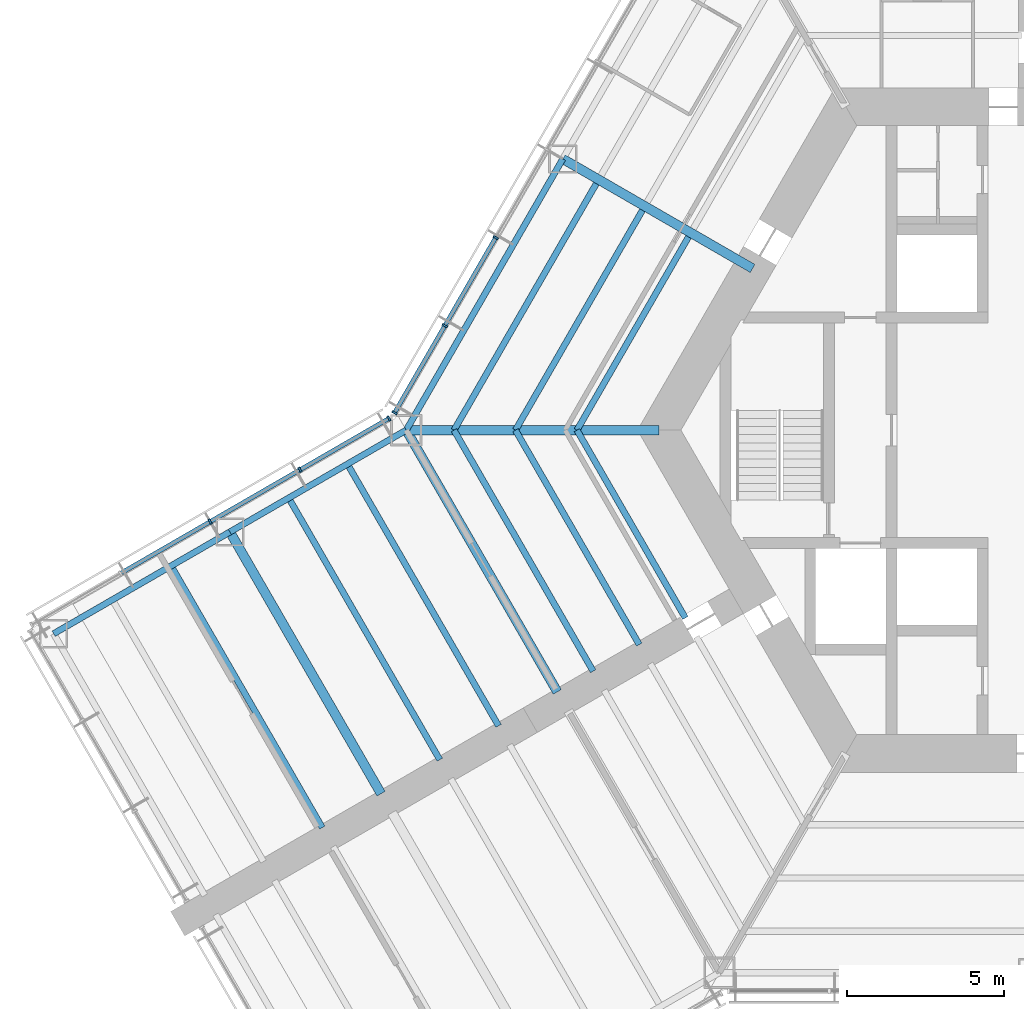
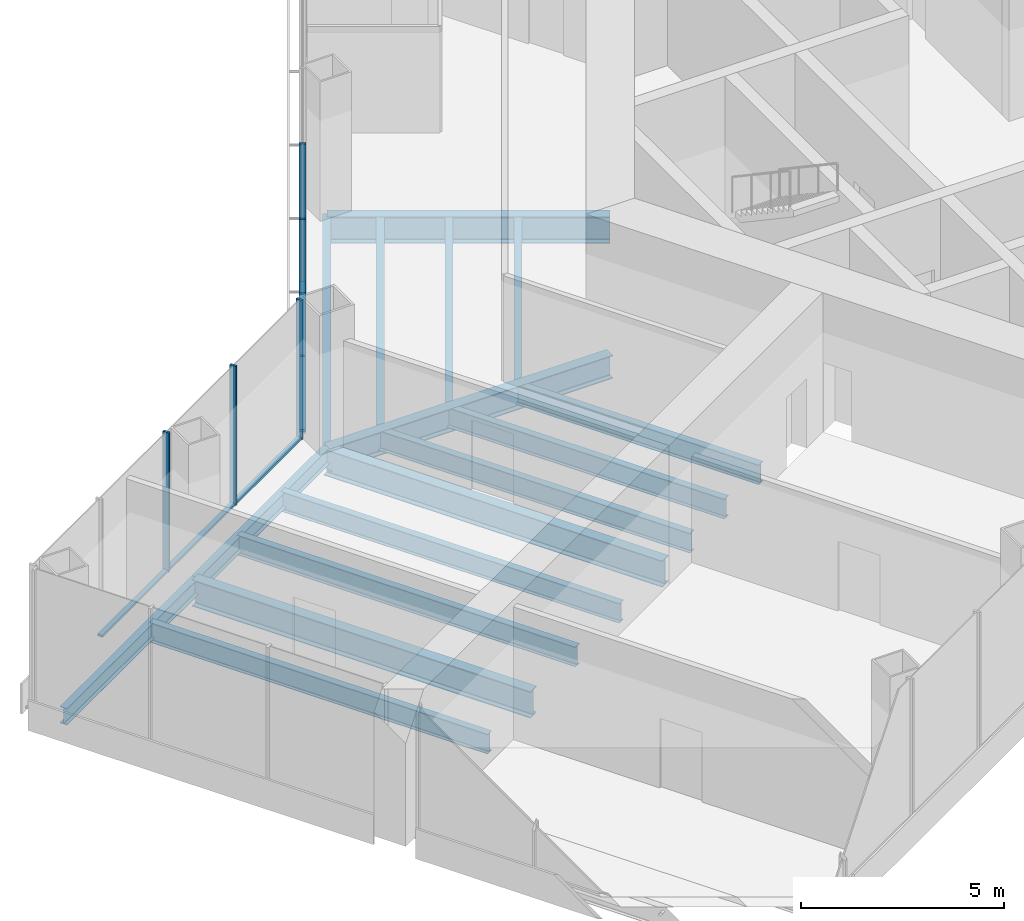
# One storey, part 3 of 16: 16 beams, 11 members, 2 elements without a shape of their own.
"""IFC4 building model written with IfcOpenShell, lengths in metres."""

from ifc_helpers import new_model, si_unit, direction, frame, origin, origin_2d, place, context, subcontext, project, spatial, rectangle, i_section, extrude, material, material_profile, profile_set, type_object, element, aggregate, save


model = new_model("IFC4")

# Units and contexts
model_context = context("Model", 3, precision=1e-05, world=origin(), true_north=direction((0.0, 1.0)))
body_context = subcontext(model_context, "Body", "Model", "MODEL_VIEW")
ifc_project = project(units=[si_unit("LENGTHUNIT", "METRE"), si_unit("AREAUNIT", "SQUARE_METRE"), si_unit("VOLUMEUNIT", "CUBIC_METRE"), si_unit("PLANEANGLEUNIT", "RADIAN"), si_unit("MASSUNIT", "GRAM", prefix="KILO")], contexts=[model_context])

# Site, building, storey
site_placement = place(None, origin())
site = spatial("IfcSite", under=ifc_project, at=site_placement, CompositionType="ELEMENT")
building_placement = place(site_placement, origin())
building = spatial("IfcBuilding", under=site, at=building_placement, Name="Kasaneha Research Tower", CompositionType="ELEMENT")
storey_placement = place(building_placement, frame((0.0, 0.0, 18.39990234375)))
storey = spatial("IfcBuildingStorey", under=building, at=storey_placement, Name="L05", CompositionType="ELEMENT", Elevation=18.39990234375)

# Beams
ifc_material_1 = material(Name="Steel SN490B", Category="steel")
ifc_material_profile_1 = material_profile(ifc_material_1, i_section(OverallWidth=0.199951171875, OverallDepth=0.60009765625, WebThickness=0.010986328125, FlangeThickness=0.01708984375, FilletRadius=0.012939453125, at=origin_2d()), Name="H-600x200x11x17")
ifc_profile_set_1 = profile_set([ifc_material_profile_1], Name="Steel SN490B")
beam_type_1 = type_object("IfcBeamType", Name="B1-1 secondary beam H-600x200x11x17", PredefinedType="JOIST", material=ifc_profile_set_1)
beam_1_placement = place(storey_placement, frame((-14.54931640625, 0.0, -0.5), z_axis=(0.500016104636, 0.866016105569, 0.0), x_axis=(-0.866016105569, 0.500016104636, 0.0)))
element("IfcBeam", 1, at=beam_1_placement, inside=storey, type_object=beam_type_1, Name="Secondary beam RS150R1 L05", PredefinedType="JOIST", context=body_context, shape_type="SweptSolid", body=[
    extrude(i_section(OverallWidth=0.199951171875, OverallDepth=0.60009765625, WebThickness=0.010986328125, FlangeThickness=0.01708984375, FilletRadius=0.012939453125, at=origin_2d()), origin(), (0.0, 0.0, 1.0), 7.124755859375),
])
beam_2_placement = place(storey_placement, frame((-16.51220703125, 0.0, -0.5), z_axis=(0.49999707157, 0.866027094508, 0.0), x_axis=(-0.866027094508, 0.49999707157, 0.0)))
element("IfcBeam", 2, at=beam_2_placement, inside=storey, type_object=beam_type_1, Name="Secondary beam RS150R2 L05", PredefinedType="JOIST", context=body_context, shape_type="SweptSolid", body=[
    extrude(i_section(OverallWidth=0.199951171875, OverallDepth=0.60009765625, WebThickness=0.010986328125, FlangeThickness=0.01708984375, FilletRadius=0.012939453125, at=origin_2d()), origin(), (0.0, 0.0, 1.0), 8.10595703125),
])
beam_3_placement = place(storey_placement, frame((-18.47509765625, 0.0, -0.5), z_axis=(0.499990665392, 0.866030793056, 0.0), x_axis=(-0.866030793056, 0.499990665392, 0.0)))
element("IfcBeam", 3, at=beam_3_placement, inside=storey, type_object=beam_type_1, Name="Secondary beam RS150R3 L05", PredefinedType="JOIST", context=body_context, shape_type="SweptSolid", body=[
    extrude(i_section(OverallWidth=0.199951171875, OverallDepth=0.60009765625, WebThickness=0.010986328125, FlangeThickness=0.01708984375, FilletRadius=0.012939453125, at=origin_2d()), origin(), (0.0, 0.0, 1.0), 9.087646484375),
])
beam_4_placement = place(storey_placement, frame((-14.54931640625, 0.0, -0.5), z_axis=(0.500014420154, -0.866017078145, 0.0), x_axis=(0.866017078145, 0.500014420154, 0.0)))
element("IfcBeam", 4, at=beam_4_placement, inside=storey, type_object=beam_type_1, Name="Secondary beam RS210L1 L05", PredefinedType="JOIST", context=body_context, shape_type="SweptSolid", body=[
    extrude(i_section(OverallWidth=0.199951171875, OverallDepth=0.60009765625, WebThickness=0.010986328125, FlangeThickness=0.01708984375, FilletRadius=0.012939453125, at=origin_2d()), origin(), (0.0, 0.0, 1.0), 6.924560546875),
])
beam_5_placement = place(storey_placement, frame((-16.51220703125, 0.0, -0.5), z_axis=(0.500004902938, -0.866022573054, 0.0), x_axis=(0.866022573054, 0.500004902938, 0.0)))
element("IfcBeam", 5, at=beam_5_placement, inside=storey, type_object=beam_type_1, Name="Secondary beam RS210L2 L05", PredefinedType="JOIST", context=body_context, shape_type="SweptSolid", body=[
    extrude(i_section(OverallWidth=0.199951171875, OverallDepth=0.60009765625, WebThickness=0.010986328125, FlangeThickness=0.01708984375, FilletRadius=0.012939453125, at=origin_2d()), origin(), (0.0, 0.0, 1.0), 7.90625),
])
beam_6_placement = place(storey_placement, frame((-18.47509765625, 0.0, -0.5), z_axis=(0.499988779951, -0.866031881586, 0.0), x_axis=(0.866031881586, 0.499988779951, 0.0)))
element("IfcBeam", 6, at=beam_6_placement, inside=storey, type_object=beam_type_1, Name="Secondary beam RS210L3 L05", PredefinedType="JOIST", context=body_context, shape_type="SweptSolid", body=[
    extrude(i_section(OverallWidth=0.199951171875, OverallDepth=0.60009765625, WebThickness=0.010986328125, FlangeThickness=0.01708984375, FilletRadius=0.012939453125, at=origin_2d()), origin(), (0.0, 0.0, 1.0), 8.887451171875),
])
ifc_material_2 = material(Name="Steel SN490B", Category="steel")
ifc_material_profile_2 = material_profile(ifc_material_2, i_section(OverallWidth=0.198974609375, OverallDepth=0.595947265625, WebThickness=0.010009765625, FlangeThickness=0.014892578125, FilletRadius=0.012939453125, at=origin_2d()), Name="H-596x199x10x15")
ifc_profile_set_2 = profile_set([ifc_material_profile_2], Name="Steel SN490B")
beam_type_2 = type_object("IfcBeamType", Name="B2-1 secondary beam H-596x199x10x15", PredefinedType="JOIST", material=ifc_profile_set_2)
beam_7_placement = place(storey_placement, frame((-21.87646484375, -1.083251953125, -0.497802734375), z_axis=(0.500013717211, -0.866017484004, 0.0), x_axis=(0.866017484004, 0.500013717211, 0.0)))
element("IfcBeam", 7, at=beam_7_placement, inside=storey, type_object=beam_type_2, Name="Secondary beam WBBP1 L05", PredefinedType="JOIST", context=body_context, shape_type="SweptSolid", body=[
    extrude(i_section(OverallWidth=0.198974609375, OverallDepth=0.595947265625, WebThickness=0.010009765625, FlangeThickness=0.014892578125, FilletRadius=0.012939453125, at=origin_2d()), origin(), (0.0, 0.0, 1.0), 9.650146484375),
])
for number, where, z_axis, x_axis, name in (
    (8, (-23.752685546875, -2.166748046875, -0.497802734375), (0.499994742786, -0.866028439017, 0.0), (0.866028439017, 0.499994742786, 0.0), "Secondary beam WBBP2 L05"),
    (9, (-27.505615234375, -4.333251953125, -0.497802734375), (0.499994742786, -0.866028439017, 0.0), (0.866028439017, 0.499994742786, 0.0), "Secondary beam WBBP3 L05"),
):
    element("IfcBeam", number, at=place(storey_placement, frame(where, z_axis=z_axis, x_axis=x_axis)), inside=storey, type_object=beam_type_2, Name=name, PredefinedType="JOIST", context=body_context, shape_type="SweptSolid", body=[
        extrude(i_section(OverallWidth=0.198974609375, OverallDepth=0.595947265625, WebThickness=0.010009765625, FlangeThickness=0.014892578125, FilletRadius=0.012939453125, at=origin_2d()), origin(), (0.0, 0.0, 1.0), 9.64990234375),
    ])

# Curtain wall, members
ifc_material_3 = material(Name="Glass and aluminium", Category="aluminium")
curtain_wall_type = type_object("IfcCurtainWallType", Name="Wet laboratory curtain wall", PredefinedType="USERDEFINED", material=ifc_material_3)
curtain_wall_1_placement = place(storey_placement, origin())
curtain_wall_1 = element("IfcCurtainWall", 10, at=curtain_wall_1_placement, inside=storey, type_object=curtain_wall_type, Name="CW-L1 L05 run 12a", ObjectType="UNITISED CURTAIN WALL", PredefinedType="USERDEFINED")
ifc_material_4 = material(Name="Aluminium 6063-T6", Category="aluminium")
ifc_material_profile_3 = material_profile(ifc_material_4, rectangle(XDim=0.06494140625, YDim=0.179931640625, at=origin_2d()), Name="CW-L1 mullion 65x180")
ifc_profile_set_3 = profile_set([ifc_material_profile_3], Name="Aluminium 6063-T6")
member_type_1 = type_object("IfcMemberType", Name="CW-L1 mullion", PredefinedType="MULLION", material=ifc_profile_set_3)
member_1_placement = place(storey_placement, frame((-17.142822265625, 6.148681640625, 0.0), z_axis=(0.0, 0.0, 1.0), x_axis=(-0.49999996188, -0.866025425793, 0.0)))
member_1 = element("IfcMember", 11, at=member_1_placement, type_object=member_type_1, Name="CW-L1 mullion 5", PredefinedType="MULLION", context=body_context, shape_type="SweptSolid", body=[
    extrude(rectangle(XDim=0.06494140625, YDim=0.179931640625, at=origin_2d()), origin(), (0.0, 0.0, 1.0), 4.2001953125),
])
member_2_placement = place(storey_placement, frame((-18.76611328125, 3.33740234375, 0.0), z_axis=(0.0, 0.0, 1.0), x_axis=(-0.49999996188, -0.866025425793, 0.0)))
member_2 = element("IfcMember", 12, at=member_2_placement, type_object=member_type_1, Name="CW-L1 mullion 6", PredefinedType="MULLION", context=body_context, shape_type="SweptSolid", body=[
    extrude(rectangle(XDim=0.06494140625, YDim=0.179931640625, at=origin_2d()), origin(), (0.0, 0.0, 1.0), 4.2001953125),
])
member_3_placement = place(storey_placement, frame((-20.373046875, 0.553955078125, 0.0), z_axis=(0.0, 0.0, 1.0), x_axis=(-0.49999996188, -0.866025425793, 0.0)))
member_3 = element("IfcMember", 13, at=member_3_placement, type_object=member_type_1, Name="CW-L1 mullion 7", PredefinedType="MULLION", context=body_context, shape_type="SweptSolid", body=[
    extrude(rectangle(XDim=0.06494140625, YDim=0.179931640625, at=origin_2d()), origin(), (0.0, 0.0, 1.0), 4.2001953125),
])

curtain_wall_2_placement = place(storey_placement, origin())
curtain_wall_2 = element("IfcCurtainWall", 14, at=curtain_wall_2_placement, inside=storey, type_object=curtain_wall_type, Name="CW-L1 L05 run 13a", ObjectType="UNITISED CURTAIN WALL", PredefinedType="USERDEFINED")
member_4_placement = place(storey_placement, frame((-20.553955078125, 0.373046875, 0.0), z_axis=(0.0, 0.0, 1.0), x_axis=(-0.866025411464, -0.499999986699, 0.0)))
member_4 = element("IfcMember", 15, at=member_4_placement, type_object=member_type_1, Name="CW-L1 mullion 1", PredefinedType="MULLION", context=body_context, shape_type="SweptSolid", body=[
    extrude(rectangle(XDim=0.06494140625, YDim=0.179931640625, at=origin_2d()), origin(), (0.0, 0.0, 1.0), 4.2001953125),
])
member_5_placement = place(storey_placement, frame((-23.39208984375, -1.265625, 0.0), z_axis=(0.0, 0.0, 1.0), x_axis=(-0.866025411464, -0.499999986699, 0.0)))
member_5 = element("IfcMember", 16, at=member_5_placement, type_object=member_type_1, Name="CW-L1 mullion 2", PredefinedType="MULLION", context=body_context, shape_type="SweptSolid", body=[
    extrude(rectangle(XDim=0.06494140625, YDim=0.179931640625, at=origin_2d()), origin(), (0.0, 0.0, 1.0), 4.2001953125),
])
member_6_placement = place(storey_placement, frame((-26.258544921875, -2.920654296875, 0.0), z_axis=(0.0, 0.0, 1.0), x_axis=(-0.866025411464, -0.499999986699, 0.0)))
member_6 = element("IfcMember", 17, at=member_6_placement, type_object=member_type_1, Name="CW-L1 mullion 3", PredefinedType="MULLION", context=body_context, shape_type="SweptSolid", body=[
    extrude(rectangle(XDim=0.06494140625, YDim=0.179931640625, at=origin_2d()), origin(), (0.0, 0.0, 1.0), 4.2001953125),
])

# Member
ifc_material_5 = material(Name="Aluminium 6063-T6", Category="aluminium")
ifc_material_profile_4 = material_profile(ifc_material_5, rectangle(XDim=0.139892578125, YDim=0.06494140625, at=origin_2d()), Name="CW-L1 transom 140x65")
ifc_profile_set_4 = profile_set([ifc_material_profile_4], Name="Aluminium 6063-T6")
member_type_2 = type_object("IfcMemberType", Name="CW-L1 transom", PredefinedType="USERDEFINED", material=ifc_profile_set_4)
member_7_placement = place(storey_placement, frame((-17.1591796875, 6.12060546875, 0.03271484375), z_axis=(-0.499977104415, -0.866038622153, 0.0), x_axis=(0.866038622153, -0.499977104415, 0.0)))
member_7 = element("IfcMember", 18, at=member_7_placement, type_object=member_type_2, Name="CW-L1 transom 5", ObjectType="TRANSOM", PredefinedType="USERDEFINED", context=body_context, shape_type="SweptSolid", body=[
    extrude(rectangle(XDim=0.139892578125, YDim=0.06494140625, at=origin_2d()), origin(), (0.0, 0.0, 1.0), 3.181396484375),
])

member_8_placement = place(storey_placement, frame((-18.7822265625, 3.30908203125, 0.03271484375), z_axis=(-0.49999985423, -0.866025487945, 0.0), x_axis=(0.866025487945, -0.49999985423, 0.0)))
member_8 = element("IfcMember", 19, at=member_8_placement, type_object=member_type_2, Name="CW-L1 transom 6", ObjectType="TRANSOM", PredefinedType="USERDEFINED", context=body_context, shape_type="SweptSolid", body=[
    extrude(rectangle(XDim=0.139892578125, YDim=0.06494140625, at=origin_2d()), origin(), (0.0, 0.0, 1.0), 3.14892578125),
])

aggregate(curtain_wall_1, [member_1, member_2, member_3, member_7, member_8])

member_9_placement = place(storey_placement, frame((-20.58203125, 0.356689453125, 0.03271484375), z_axis=(-0.866022320763, -0.500005339912, 0.0), x_axis=(0.500005339912, -0.866022320763, 0.0)))
member_9 = element("IfcMember", 20, at=member_9_placement, type_object=member_type_2, Name="CW-L1 transom 1", ObjectType="TRANSOM", PredefinedType="USERDEFINED", context=body_context, shape_type="SweptSolid", body=[
    extrude(rectangle(XDim=0.139892578125, YDim=0.06494140625, at=origin_2d()), origin(), (0.0, 0.0, 1.0), 3.21240234375),
])

member_10_placement = place(storey_placement, frame((-23.42041015625, -1.281982421875, 0.03271484375), z_axis=(-0.866035229914, -0.499982980259, 0.0), x_axis=(0.499982980259, -0.866035229914, 0.0)))
member_10 = element("IfcMember", 21, at=member_10_placement, type_object=member_type_2, Name="CW-L1 transom 2", ObjectType="TRANSOM", PredefinedType="USERDEFINED", context=body_context, shape_type="SweptSolid", body=[
    extrude(rectangle(XDim=0.139892578125, YDim=0.06494140625, at=origin_2d()), origin(), (0.0, 0.0, 1.0), 3.24462890625),
])

member_11_placement = place(storey_placement, frame((-26.28662109375, -2.936767578125, 0.03271484375), z_axis=(-0.866021460221, -0.500006830391, 0.0), x_axis=(0.500006830391, -0.866021460221, 0.0)))
member_11 = element("IfcMember", 22, at=member_11_placement, type_object=member_type_2, Name="CW-L1 transom 3", ObjectType="TRANSOM", PredefinedType="USERDEFINED", context=body_context, shape_type="SweptSolid", body=[
    extrude(rectangle(XDim=0.139892578125, YDim=0.06494140625, at=origin_2d()), origin(), (0.0, 0.0, 1.0), 3.2451171875),
])

aggregate(curtain_wall_2, [member_4, member_5, member_6, member_9, member_10, member_11])

# Beams
ifc_material_6 = material(Name="Steel SN490B", Category="steel")
ifc_material_profile_5 = material_profile(ifc_material_6, i_section(OverallWidth=0.300048828125, OverallDepth=0.699951171875, WebThickness=0.012939453125, FlangeThickness=0.02392578125, FilletRadius=0.01806640625, at=origin_2d()), Name="H-700x300x13x24")
ifc_profile_set_5 = profile_set([ifc_material_profile_5], Name="Steel SN490B")
beam_type_3 = type_object("IfcBeamType", Name="G1-1 radial girder H-700x300x13x24", PredefinedType="BEAM", material=ifc_profile_set_5)
beam_8_placement = place(storey_placement, frame((-11.92236328125, 0.0, -0.5498046875), z_axis=(-1.0, 0.0, 0.0), x_axis=(0.0, -1.0, 0.0)))
element("IfcBeam", 23, at=beam_8_placement, inside=storey, type_object=beam_type_3, Name="Radial girder RV180 L05", PredefinedType="BEAM", context=body_context, shape_type="SweptSolid", body=[
    extrude(i_section(OverallWidth=0.300048828125, OverallDepth=0.699951171875, WebThickness=0.012939453125, FlangeThickness=0.02392578125, FilletRadius=0.01806640625, at=origin_2d()), origin(), (0.0, 0.0, 1.0), 8.07763671875),
])
ifc_material_7 = material(Name="Steel SN490B", Category="steel")
ifc_material_profile_6 = material_profile(ifc_material_7, i_section(OverallWidth=0.300048828125, OverallDepth=0.800048828125, WebThickness=0.013916015625, FlangeThickness=0.02587890625, FilletRadius=0.01806640625, at=origin_2d()), Name="H-800x300x14x26")
ifc_profile_set_6 = profile_set([ifc_material_profile_6], Name="Steel SN490B")
beam_type_4 = type_object("IfcBeamType", Name="G2-1 radial girder H-800x300x14x26", PredefinedType="BEAM", material=ifc_profile_set_6)
beam_9_placement = place(storey_placement, frame((-8.941650390625, 5.16259765625, -0.599853515625), z_axis=(-0.866039713508, 0.499975214012, 0.0), x_axis=(-0.499975214012, -0.866039713508, 0.0)))
element("IfcBeam", 24, at=beam_9_placement, inside=storey, type_object=beam_type_4, Name="Radial girder RM150 L05", PredefinedType="BEAM", context=body_context, shape_type="SweptSolid", body=[
    extrude(i_section(OverallWidth=0.300048828125, OverallDepth=0.800048828125, WebThickness=0.013916015625, FlangeThickness=0.02587890625, FilletRadius=0.01806640625, at=origin_2d()), origin(), (0.0, 0.0, 1.0), 6.995361328125),
])
ifc_material_8 = material(Name="Steel SN490B", Category="steel")
ifc_material_profile_7 = material_profile(ifc_material_8, i_section(OverallWidth=0.300048828125, OverallDepth=0.7919921875, WebThickness=0.013916015625, FlangeThickness=0.02197265625, FilletRadius=0.01806640625, at=origin_2d()), Name="H-792x300x14x22")
ifc_profile_set_7 = profile_set([ifc_material_profile_7], Name="Steel SN490B")
beam_type_5 = type_object("IfcBeamType", Name="G3-1 plate edge girder H-792x300x14x22", PredefinedType="BEAM", material=ifc_profile_set_7)
beam_10_placement = place(storey_placement, frame((-20.0, 0.0, -0.595947265625), z_axis=(0.499994742786, -0.866028439017, 0.0), x_axis=(0.866028439017, 0.499994742786, 0.0)))
element("IfcBeam", 25, at=beam_10_placement, inside=storey, type_object=beam_type_5, Name="Plate edge girder PEBP L05", PredefinedType="BEAM", context=body_context, shape_type="SweptSolid", body=[
    extrude(i_section(OverallWidth=0.300048828125, OverallDepth=0.7919921875, WebThickness=0.013916015625, FlangeThickness=0.02197265625, FilletRadius=0.01806640625, at=origin_2d()), origin(), (0.0, 0.0, 1.0), 9.64990234375),
])
ifc_material_9 = material(Name="Steel SN490B", Category="steel")
ifc_material_profile_8 = material_profile(ifc_material_9, i_section(OverallWidth=0.300048828125, OverallDepth=0.800048828125, WebThickness=0.013916015625, FlangeThickness=0.02587890625, FilletRadius=0.01806640625, at=origin_2d()), Name="H-800x300x14x26")
ifc_profile_set_8 = profile_set([ifc_material_profile_8], Name="Steel SN490B")
beam_type_6 = type_object("IfcBeamType", Name="G4-1 wing girder H-800x300x14x26", PredefinedType="BEAM", material=ifc_profile_set_8)
beam_11_placement = place(storey_placement, frame((-25.629150390625, -3.25, -0.599853515625), z_axis=(0.499994742786, -0.866028439017, 0.0), x_axis=(0.866028439017, 0.499994742786, 0.0)))
element("IfcBeam", 26, at=beam_11_placement, inside=storey, type_object=beam_type_6, Name="Wing girder WGBP L05", PredefinedType="BEAM", context=body_context, shape_type="SweptSolid", body=[
    extrude(i_section(OverallWidth=0.300048828125, OverallDepth=0.800048828125, WebThickness=0.013916015625, FlangeThickness=0.02587890625, FilletRadius=0.01806640625, at=origin_2d()), origin(), (0.0, 0.0, 1.0), 9.64990234375),
])
ifc_material_10 = material(Name="Steel SN490B", Category="steel")
ifc_material_profile_9 = material_profile(ifc_material_10, i_section(OverallWidth=0.199951171875, OverallDepth=0.60009765625, WebThickness=0.010986328125, FlangeThickness=0.01708984375, FilletRadius=0.012939453125, at=origin_2d()), Name="H-600x200x11x17")
ifc_profile_set_9 = profile_set([ifc_material_profile_9], Name="Steel SN490B")
beam_type_7 = type_object("IfcBeamType", Name="SB1-1 spandrel beam H-600x200x11x17", PredefinedType="SPANDREL", material=ifc_profile_set_9)
beam_12_placement = place(storey_placement, frame((-20.0, 0.0, -0.5), z_axis=(0.500004234368, 0.866022959057, 0.0), x_axis=(-0.866022959057, 0.500004234368, 0.0)))
element("IfcBeam", 27, at=beam_12_placement, inside=storey, type_object=beam_type_7, Name="Spandrel beam SR150R L05", PredefinedType="SPANDREL", context=body_context, shape_type="SweptSolid", body=[
    extrude(i_section(OverallWidth=0.199951171875, OverallDepth=0.60009765625, WebThickness=0.010986328125, FlangeThickness=0.01708984375, FilletRadius=0.012939453125, at=origin_2d()), origin(), (0.0, 0.0, 1.0), 10.0),
])
ifc_material_11 = material(Name="Steel SN490B", Category="steel")
ifc_material_profile_10 = material_profile(ifc_material_11, i_section(OverallWidth=0.199951171875, OverallDepth=0.5, WebThickness=0.010009765625, FlangeThickness=0.01611328125, FilletRadius=0.012939453125, at=origin_2d()), Name="H-500x200x10x16")
ifc_profile_set_10 = profile_set([ifc_material_profile_10], Name="Steel SN490B")
beam_type_8 = type_object("IfcBeamType", Name="SB2-1 spandrel beam H-500x200x10x16", PredefinedType="SPANDREL", material=ifc_profile_set_10)
for number, where, z_axis, x_axis, name in (
    (28, (-20.0, 0.0, -0.449951171875), (-0.866024837091, -0.50000098154, 0.0), (0.50000098154, -0.866024837091, 0.0), "Spandrel beam WSBP1 L05"),
    (29, (-25.629150390625, -3.25, -0.449951171875), (-0.866024837091, -0.50000098154, 0.0), (0.50000098154, -0.866024837091, 0.0), "Spandrel beam WSBP2 L05"),
):
    element("IfcBeam", number, at=place(storey_placement, frame(where, z_axis=z_axis, x_axis=x_axis)), inside=storey, type_object=beam_type_8, Name=name, PredefinedType="SPANDREL", context=body_context, shape_type="SweptSolid", body=[
        extrude(i_section(OverallWidth=0.199951171875, OverallDepth=0.5, WebThickness=0.010009765625, FlangeThickness=0.01611328125, FilletRadius=0.012939453125, at=origin_2d()), origin(), (0.0, 0.0, 1.0), 6.5),
    ])

save(model, "model.ifc")
